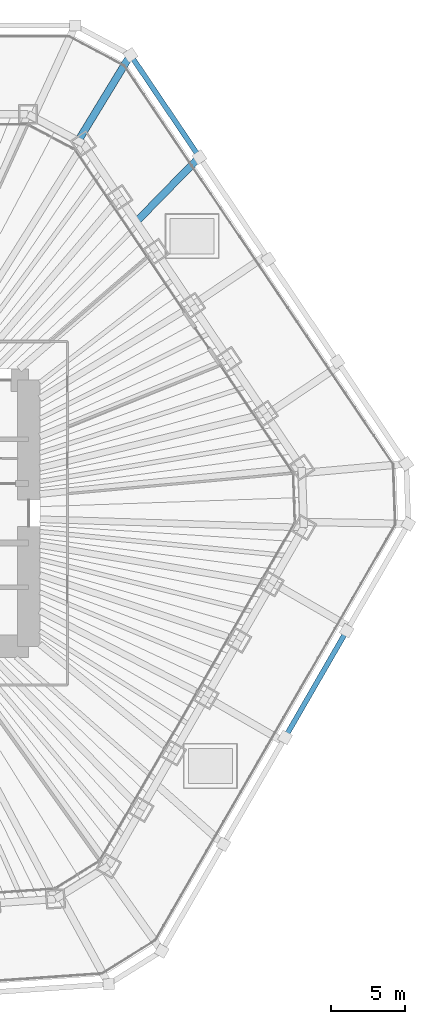
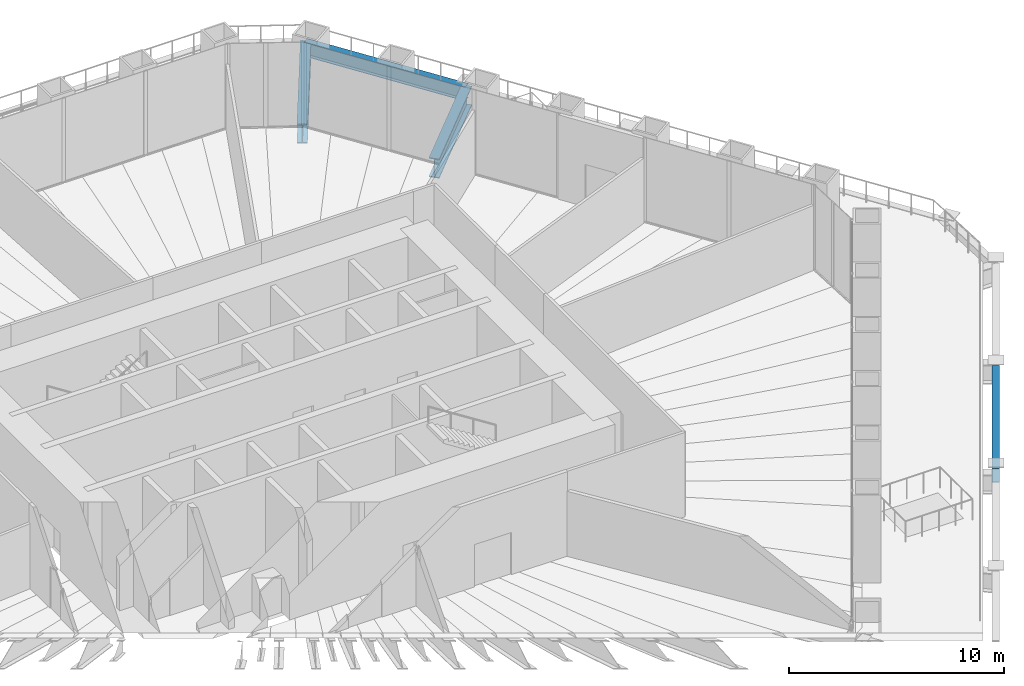
# One storey, part 10 of 20: 4 beams.
"""IFC4 building model written with IfcOpenShell, lengths in metres."""

from ifc_helpers import new_model, si_unit, direction, frame, origin, origin_2d, place, context, subcontext, project, spatial, i_section, extrude, material, material_profile, profile_set, type_object, element, save


model = new_model("IFC4")

# Units and contexts
model_context = context("Model", 3, precision=1e-05, world=origin(), true_north=direction((0.0, 1.0)))
body_context = subcontext(model_context, "Body", "Model", "MODEL_VIEW")
ifc_project = project(units=[si_unit("LENGTHUNIT", "METRE"), si_unit("AREAUNIT", "SQUARE_METRE"), si_unit("VOLUMEUNIT", "CUBIC_METRE"), si_unit("PLANEANGLEUNIT", "RADIAN"), si_unit("MASSUNIT", "GRAM", prefix="KILO")], contexts=[model_context])

# Site, building, storey
site_placement = place(None, origin())
site = spatial("IfcSite", under=ifc_project, at=site_placement, CompositionType="ELEMENT")
building_placement = place(site_placement, origin())
building = spatial("IfcBuilding", under=site, at=building_placement, Name="Qingtian Harvest Tower", CompositionType="ELEMENT")
storey_placement = place(building_placement, frame((0.0, 0.0, 17.0)))
storey = spatial("IfcBuildingStorey", under=building, at=storey_placement, Name="L03", CompositionType="ELEMENT", Elevation=17.0)

# Beams
ifc_material_1 = material(Name="Steel SM570MC", Category="steel")
ifc_material_profile_1 = material_profile(ifc_material_1, i_section(OverallWidth=0.5, OverallDepth=1.10009765625, WebThickness=0.02490234375, FlangeThickness=0.050048828125, at=origin_2d()), Name="H1100x500x25x50")
ifc_profile_set_1 = profile_set([ifc_material_profile_1], Name="Steel SM570MC")
beam_type_1 = type_object("IfcBeamType", Name="Floor beam FB6 H1100x500x25x50", PredefinedType="BEAM", material=ifc_profile_set_1)
beam_1_placement = place(storey_placement, frame((18.888427734375, 31.01025390625, -0.85009765625), z_axis=(-0.52020179562, -0.854043378192, 0.0), x_axis=(0.854043378192, -0.52020179562, 0.0)))
element("IfcBeam", 1, at=beam_1_placement, inside=storey, type_object=beam_type_1, Name="Podium floor beam FB6 NE0", PredefinedType="BEAM", context=body_context, shape_type="SweptSolid", body=[
    extrude(i_section(OverallWidth=0.5, OverallDepth=1.10009765625, WebThickness=0.02490234375, FlangeThickness=0.050048828125, at=origin_2d()), origin(), (0.0, 0.0, 1.0), 6.806884765625),
])
beam_2_placement = place(storey_placement, frame((23.55322265625, 24.0947265625, -0.85009765625), z_axis=(-0.699031153274, -0.715091215686, 0.0), x_axis=(0.715091215686, -0.699031153274, 0.0)))
element("IfcBeam", 2, at=beam_2_placement, inside=storey, type_object=beam_type_1, Name="Podium floor beam FB6 NE1", PredefinedType="BEAM", context=body_context, shape_type="SweptSolid", body=[
    extrude(i_section(OverallWidth=0.5, OverallDepth=1.10009765625, WebThickness=0.02490234375, FlangeThickness=0.050048828125, at=origin_2d()), origin(), (0.0, 0.0, 1.0), 6.126220703125),
])
ifc_material_2 = material(Name="Steel SN490B", Category="steel")
ifc_material_profile_2 = material_profile(ifc_material_2, i_section(OverallWidth=0.35009765625, OverallDepth=0.800048828125, WebThickness=0.01611328125, FlangeThickness=0.028076171875, at=origin_2d()), Name="H800x350x16x28")
ifc_profile_set_2 = profile_set([ifc_material_profile_2], Name="Steel SN490B")
beam_type_2 = type_object("IfcBeamType", Name="Podium beam PB1 H800x350x16x28", PredefinedType="BEAM", material=ifc_profile_set_2)
for number, where, z_axis, x_axis, name in (
    (3, (18.888427734375, 31.01025390625, -0.699951171875), (0.559210439086, -0.829025744363, 0.0), (0.829025744363, 0.559210439086, 0.0), "Podium edge beam PB1 NE0"),
    (4, (33.518310546875, -7.944580078125, -0.699951171875), (-0.500004511595, -0.866022798998, 0.0), (0.866022798998, -0.500004511595, 0.0), "Podium edge beam PB1 SE1"),
):
    element("IfcBeam", number, at=place(storey_placement, frame(where, z_axis=z_axis, x_axis=x_axis)), inside=storey, type_object=beam_type_2, Name=name, PredefinedType="BEAM", context=body_context, shape_type="SweptSolid", body=[
        extrude(i_section(OverallWidth=0.35009765625, OverallDepth=0.800048828125, WebThickness=0.01611328125, FlangeThickness=0.028076171875, at=origin_2d()), origin(), (0.0, 0.0, 1.0), 8.341796875),
    ])

save(model, "model.ifc")
